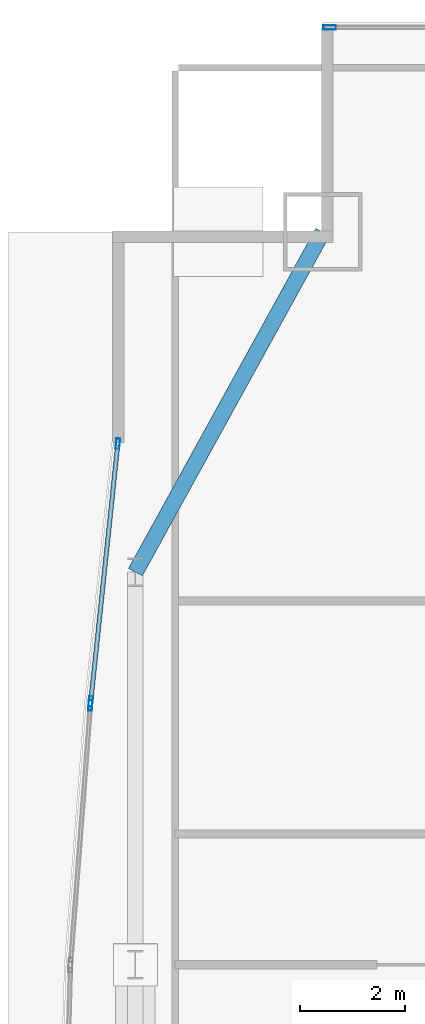
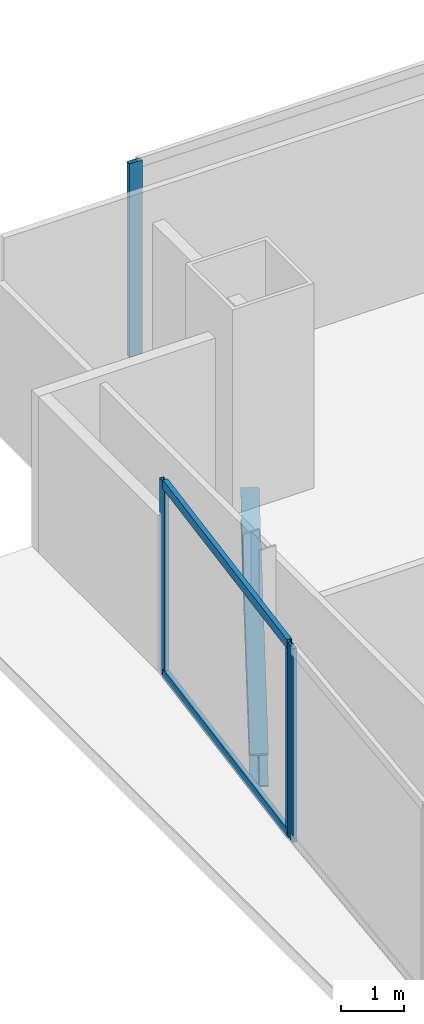
# One storey, part 16 of 32: 6 members, 1 beam, 3 elements without a shape of their own.
"""IFC4 building model written with IfcOpenShell, lengths in metres."""

from ifc_helpers import new_model, si_unit, direction, frame, origin, origin_2d, place, context, subcontext, project, spatial, hollow_rectangle, i_section, extrude, material, material_profile, profile_set, type_object, element, aggregate, save


model = new_model("IFC4")

# Units and contexts
model_context = context("Model", 3, precision=1e-05, world=origin(), true_north=direction((0.0, 1.0)))
body_context = subcontext(model_context, "Body", "Model", "MODEL_VIEW")
ifc_project = project(units=[si_unit("LENGTHUNIT", "METRE"), si_unit("AREAUNIT", "SQUARE_METRE"), si_unit("VOLUMEUNIT", "CUBIC_METRE"), si_unit("PLANEANGLEUNIT", "RADIAN"), si_unit("MASSUNIT", "GRAM", prefix="KILO")], contexts=[model_context])

# Site, building, storey
site_placement = place(None, origin())
site = spatial("IfcSite", under=ifc_project, at=site_placement, CompositionType="ELEMENT")
building_placement = place(site_placement, origin())
building = spatial("IfcBuilding", under=site, at=building_placement, Name="Khoronbel Lancet Exchange", CompositionType="ELEMENT")
storey_placement = place(building_placement, frame((0.0, 0.0, 81.800048828125)))
storey = spatial("IfcBuildingStorey", under=building, at=storey_placement, Name="L19", CompositionType="ELEMENT", Elevation=81.800048828125)

# Beam
ifc_material_1 = material(Name="Steel S355", Category="steel")
ifc_material_profile_1 = material_profile(ifc_material_1, i_section(OverallWidth=0.300048828125, OverallDepth=0.64990234375, WebThickness=0.01611328125, FlangeThickness=0.031005859375, at=origin_2d()), Name="HEB 650")
ifc_profile_set_1 = profile_set([ifc_material_profile_1], Name="Steel S355")
beam_type = type_object("IfcBeamType", Name="BM-BSP1", PredefinedType="SPANDREL", material=ifc_profile_set_1)
beam_placement = place(storey_placement, frame((6.85009765625, 49.699951171875, -0.505126953125), z_axis=(-0.482444051088, -0.875926787791, 0.0), x_axis=(0.875926787791, -0.482444051088, 0.0)))
element("IfcBeam", 1, at=beam_placement, inside=storey, type_object=beam_type, Name="Level L19 perimeter spandrel beam SP14", PredefinedType="SPANDREL", context=body_context, shape_type="SweptSolid", body=[
    extrude(i_section(OverallWidth=0.300048828125, OverallDepth=0.64990234375, WebThickness=0.01611328125, FlangeThickness=0.031005859375, at=origin_2d()), origin(), (0.0, 0.0, 1.0), 7.420654296875),
])

# Curtain wall, member
ifc_material_2 = material(Name="Low-E Solar Control Insulating Glass", Category="glass")
curtain_wall_type_1 = type_object("IfcCurtainWallType", Name="CW-2", PredefinedType="NOTDEFINED", material=ifc_material_2)
curtain_wall_1_placement = place(storey_placement, origin())
curtain_wall_1 = element("IfcCurtainWall", 2, at=curtain_wall_1_placement, inside=storey, type_object=curtain_wall_type_1, Name="Unitised curtain wall CW-L19-NWFLK", PredefinedType="NOTDEFINED")
ifc_material_3 = material(Name="Bronze-Anodised Aluminium 6063-T6", Category="aluminium")
ifc_material_profile_2 = material_profile(ifc_material_3, hollow_rectangle(XDim=0.0849609375, YDim=0.239990234375, WallThickness=0.006103515625, at=origin_2d()), Name="ALU MULLION 85x240")
ifc_profile_set_2 = profile_set([ifc_material_profile_2], Name="Bronze-Anodised Aluminium 6063-T6")
member_type_1 = type_object("IfcMemberType", Name="MEM-CWM1", PredefinedType="MULLION", material=ifc_profile_set_2)
member_1_placement = place(storey_placement, frame((6.982421875, 53.610107421875, 0.0), z_axis=(0.0, 0.0, 1.0), x_axis=(0.0, -1.0, 0.0)))
member_1 = element("IfcMember", 3, at=member_1_placement, type_object=member_type_1, Name="CW2 mullion 2", PredefinedType="MULLION", context=body_context, shape_type="SweptSolid", body=[
    extrude(hollow_rectangle(XDim=0.0849609375, YDim=0.239990234375, WallThickness=0.006103515625, at=origin_2d()), origin(), (0.0, 0.0, 1.0), 3.780029296875),
])
aggregate(curtain_wall_1, [member_1])

curtain_wall_type_2 = type_object("IfcCurtainWallType", Name="CW-4", PredefinedType="NOTDEFINED", material=ifc_material_2)
curtain_wall_2_placement = place(storey_placement, origin())
curtain_wall_2 = element("IfcCurtainWall", 4, at=curtain_wall_2_placement, inside=storey, type_object=curtain_wall_type_2, Name="Unitised curtain wall CW-L19-E08", PredefinedType="NOTDEFINED")
ifc_material_profile_3 = material_profile(ifc_material_3, hollow_rectangle(XDim=0.074951171875, YDim=0.199951171875, WallThickness=0.0048828125, at=origin_2d()), Name="ALU MULLION 75x200")
ifc_profile_set_3 = profile_set([ifc_material_profile_3], Name="Bronze-Anodised Aluminium 6063-T6")
member_type_2 = type_object("IfcMemberType", Name="MEM-CWM2", PredefinedType="MULLION", material=ifc_profile_set_3)
member_2_placement = place(storey_placement, frame((2.41162109375, 40.654541015625, 0.0), z_axis=(0.0, 0.0, 1.0), x_axis=(-0.997059882555, 0.076626304874, 0.0)))
member_2 = element("IfcMember", 5, at=member_2_placement, type_object=member_type_2, Name="CW4 mullion 2", PredefinedType="MULLION", context=body_context, shape_type="SweptSolid", body=[
    extrude(hollow_rectangle(XDim=0.074951171875, YDim=0.199951171875, WallThickness=0.0048828125, at=origin_2d()), origin(), (0.0, 0.0, 1.0), 3.780029296875),
])
aggregate(curtain_wall_2, [member_2])

# Curtain wall, members
curtain_wall_3_placement = place(storey_placement, origin())
curtain_wall_3 = element("IfcCurtainWall", 6, at=curtain_wall_3_placement, inside=storey, type_object=curtain_wall_type_2, Name="Unitised curtain wall CW-L19-E09", PredefinedType="NOTDEFINED")
member_3_placement = place(storey_placement, frame((2.41845703125, 40.729248046875, 0.0), z_axis=(0.0, 0.0, 1.0), x_axis=(-0.994531779003, 0.104434383958, 0.0)))
member_3 = element("IfcMember", 7, at=member_3_placement, type_object=member_type_2, Name="CW4 mullion 1", PredefinedType="MULLION", context=body_context, shape_type="SweptSolid", body=[
    extrude(hollow_rectangle(XDim=0.074951171875, YDim=0.199951171875, WallThickness=0.0048828125, at=origin_2d()), origin(), (0.0, 0.0, 1.0), 3.780029296875),
])
member_4_placement = place(storey_placement, frame((2.93603515625, 45.657958984375, 0.0), z_axis=(0.0, 0.0, 1.0), x_axis=(-0.994531779003, 0.104434383958, 0.0)))
member_4 = element("IfcMember", 8, at=member_4_placement, type_object=member_type_2, Name="CW4 mullion 2", PredefinedType="MULLION", context=body_context, shape_type="SweptSolid", body=[
    extrude(hollow_rectangle(XDim=0.074951171875, YDim=0.199951171875, WallThickness=0.0048828125, at=origin_2d()), origin(), (0.0, 0.0, 1.0), 3.780029296875),
])
ifc_material_profile_4 = material_profile(ifc_material_3, hollow_rectangle(XDim=0.0849609375, YDim=0.179931640625, WallThickness=0.0048828125, at=origin_2d()), Name="ALU TRANSOM 85x180")
ifc_profile_set_4 = profile_set([ifc_material_profile_4], Name="Bronze-Anodised Aluminium 6063-T6")
member_type_3 = type_object("IfcMemberType", Name="MEM-CWT1", PredefinedType="USERDEFINED", material=ifc_profile_set_4)
member_5_placement = place(storey_placement, frame((2.42236328125, 40.7666015625, 0.04248046875), z_axis=(0.104445225696, 0.994530640468, 0.0), x_axis=(-0.994530640468, 0.104445225696, 0.0)))
member_5 = element("IfcMember", 9, at=member_5_placement, type_object=member_type_3, Name="CW4 transom 1.1", ObjectType="TRANSOM", PredefinedType="USERDEFINED", context=body_context, shape_type="SweptSolid", body=[
    extrude(hollow_rectangle(XDim=0.0849609375, YDim=0.179931640625, WallThickness=0.0048828125, at=origin_2d()), origin(), (0.0, 0.0, 1.0), 4.880615234375),
])
member_6_placement = place(storey_placement, frame((2.42236328125, 40.7666015625, 3.737548828125), z_axis=(0.104445225696, 0.994530640468, 0.0), x_axis=(-0.994530640468, 0.104445225696, 0.0)))
member_6 = element("IfcMember", 10, at=member_6_placement, type_object=member_type_3, Name="CW4 transom 1.2", ObjectType="TRANSOM", PredefinedType="USERDEFINED", context=body_context, shape_type="SweptSolid", body=[
    extrude(hollow_rectangle(XDim=0.0849609375, YDim=0.179931640625, WallThickness=0.0048828125, at=origin_2d()), origin(), (0.0, 0.0, 1.0), 4.880615234375),
])
aggregate(curtain_wall_3, [member_3, member_4, member_5, member_6])

save(model, "model.ifc")
